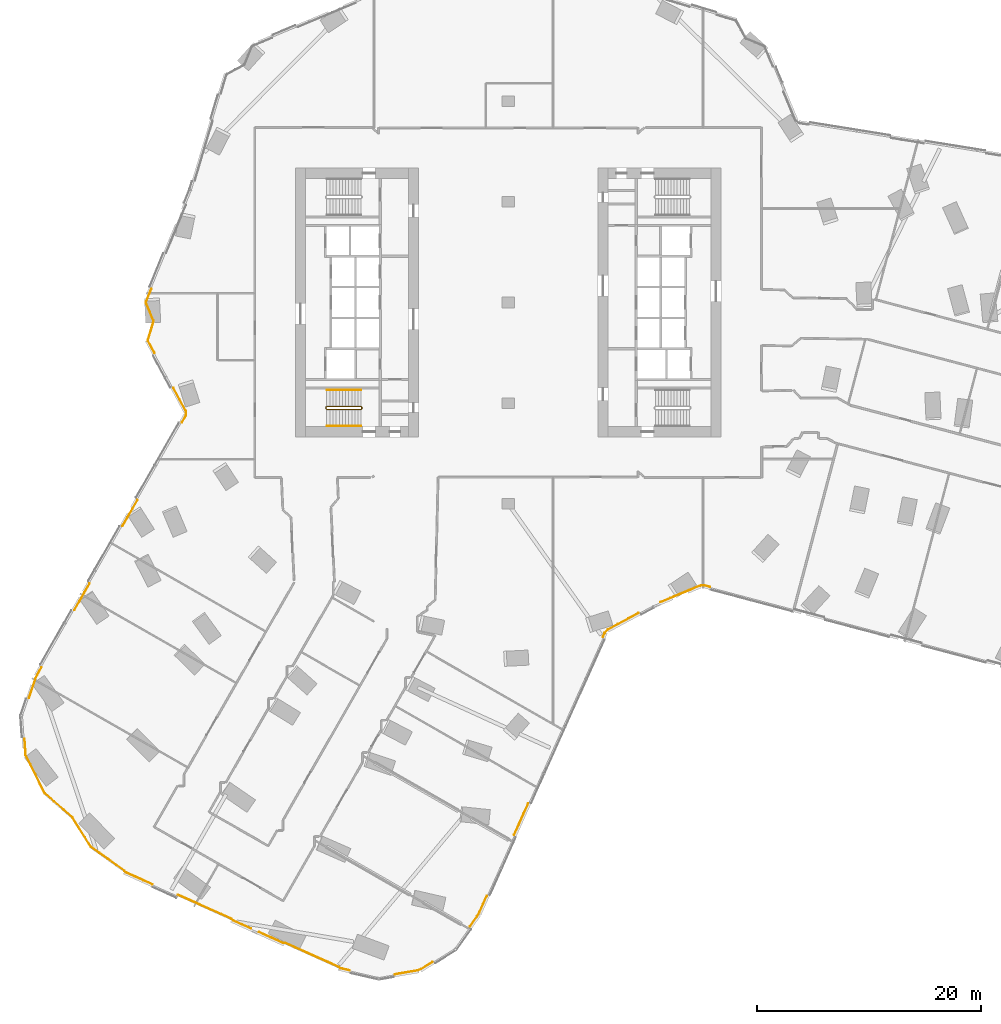
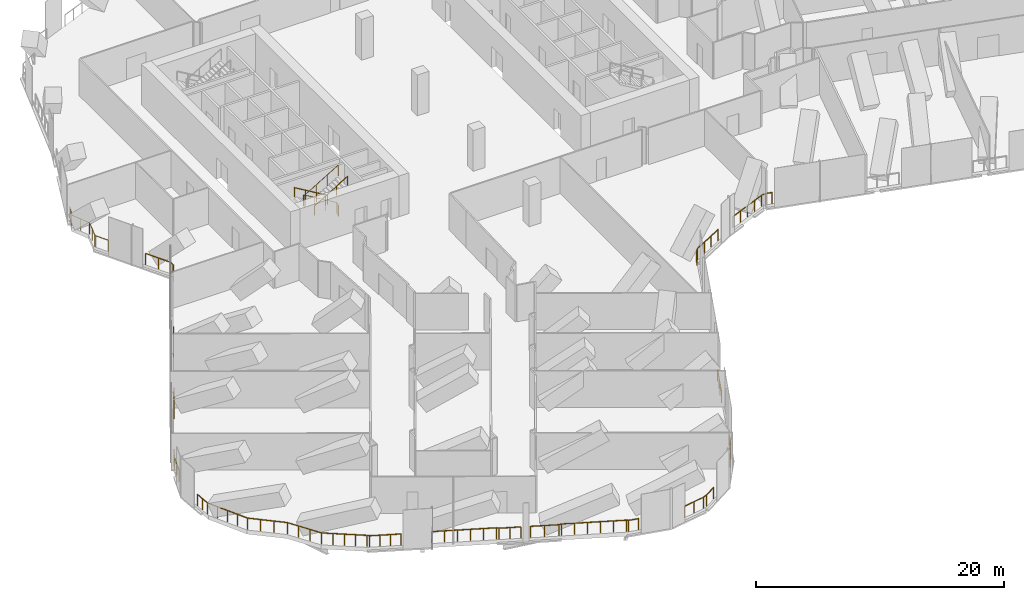
# One storey, part 34 of 37: 18 railings.
"""IFC4 building model written with IfcOpenShell, lengths in metres."""

from ifc_helpers import new_model, si_unit, direction, frame, origin, origin_2d, place, context, subcontext, project, spatial, circle, extrude, material, type_object, element, save


model = new_model("IFC4")

# Units and contexts
model_context = context("Model", 3, precision=1e-05, world=origin(), true_north=direction((0.0, 1.0)))
body_context = subcontext(model_context, "Body", "Model", "MODEL_VIEW")
ifc_project = project(units=[si_unit("LENGTHUNIT", "METRE"), si_unit("AREAUNIT", "SQUARE_METRE"), si_unit("VOLUMEUNIT", "CUBIC_METRE"), si_unit("PLANEANGLEUNIT", "RADIAN"), si_unit("MASSUNIT", "GRAM", prefix="KILO")], contexts=[model_context])

# Site, building, storey
site_placement = place(None, origin())
site = spatial("IfcSite", under=ifc_project, at=site_placement, CompositionType="ELEMENT")
building_placement = place(site_placement, origin())
building = spatial("IfcBuilding", under=site, at=building_placement, Name="Orlundy Tower", CompositionType="ELEMENT")
storey_placement = place(building_placement, frame((0.0, 0.0, 119.699951171875)))
storey = spatial("IfcBuildingStorey", under=building, at=storey_placement, Name="L30", CompositionType="ELEMENT", Elevation=119.699951171875)

# Railings
ifc_material_1 = material(Name="Steel balustrade", Category="steel")
railing_type_1 = type_object("IfcRailingType", Name="Stair Guard 1100", PredefinedType="GUARDRAIL", material=ifc_material_1)
railing_1_placement = place(storey_placement, frame((-13.090087890625, -9.35009765625, 0.0)))
element("IfcRailing", 1, at=railing_1_placement, inside=storey, type_object=railing_type_1, Name="L30 ST-W2 stair guard 1", PredefinedType="GUARDRAIL", context=body_context, shape_type="SweptSolid", body=[
    extrude(circle(Radius=0.02392578125, at=origin_2d()), frame((0.0, 0.0, 1.076171875), z_axis=(0.0, -1.0, 0.0), x_axis=(1.0, 0.0, 0.0)), (0.0, 0.0, 1.0), 0.14990234375),
    extrude(circle(Radius=0.02392578125, at=origin_2d()), frame((0.0, -0.14990234375, 1.076171875), z_axis=(-0.1878875253, 0.754313153044, 0.629054802844), x_axis=(-0.970351222016, -0.241699205484, 0.0)), (0.0, 0.0, 1.0), 0.26513671875),
    extrude(circle(Radius=0.02392578125, at=origin_2d()), frame((-0.0498046875, 0.050048828125, 1.24267578125), z_axis=(-0.859308565015, 0.0, 0.511457515432), x_axis=(0.0, -1.0, 0.0)), (0.0, 0.0, 1.0), 3.58447265625),
    extrude(circle(Radius=0.02392578125, at=origin_2d()), frame((-3.1298828125, 0.050048828125, 3.076171875), z_axis=(-0.707106781187, -0.707106781187, 0.0), x_axis=(0.707106781187, -0.707106781187, 0.0)), (0.0, 0.0, 1.0), 0.07080078125),
    extrude(circle(Radius=0.02392578125, at=origin_2d()), frame((-3.179931640625, 0.0, 3.076171875), z_axis=(0.0, -1.0, 0.0), x_axis=(1.0, 0.0, 0.0)), (0.0, 0.0, 1.0), 0.14990234375),
    extrude(circle(Radius=0.02392578125, at=origin_2d()), frame((-3.179931640625, -0.14990234375, 3.076171875), z_axis=(0.27628659633, -0.27628659633, 0.920506074601), x_axis=(0.707106781187, 0.707106781187, 0.0)), (0.0, 0.0, 1.0), 0.18115234375),
    extrude(circle(Radius=0.02392578125, at=origin_2d()), frame((-3.1298828125, -0.199951171875, 3.24267578125), z_axis=(0.859308565015, 0.0, 0.511457515432), x_axis=(0.0, 1.0, 0.0)), (0.0, 0.0, 1.0), 3.58447265625),
    extrude(circle(Radius=0.02099609375, at=origin_2d()), origin(), (0.0, 0.0, 1.0), 1.052001953125),
    extrude(circle(Radius=0.02099609375, at=origin_2d()), frame((0.0, -0.14990234375, 0.0)), (0.0, 0.0, 1.0), 1.052001953125),
    extrude(circle(Radius=0.02099609375, at=origin_2d()), frame((-0.0498046875, 0.050048828125, 0.166748046875)), (0.0, 0.0, 1.0), 1.052001953125),
    extrude(circle(Radius=0.02099609375, at=origin_2d()), frame((-1.076416015625, 0.050048828125, 0.77783203125)), (0.0, 0.0, 1.0), 1.052001953125),
    extrude(circle(Radius=0.02099609375, at=origin_2d()), frame((-2.103271484375, 0.050048828125, 1.388916015625)), (0.0, 0.0, 1.0), 1.052001953125),
    extrude(circle(Radius=0.02099609375, at=origin_2d()), frame((-3.1298828125, 0.050048828125, 2.0)), (0.0, 0.0, 1.0), 1.052001953125),
    extrude(circle(Radius=0.02099609375, at=origin_2d()), frame((-3.179931640625, 0.0, 2.0)), (0.0, 0.0, 1.0), 1.052001953125),
    extrude(circle(Radius=0.02099609375, at=origin_2d()), frame((-3.179931640625, -0.14990234375, 2.0)), (0.0, 0.0, 1.0), 1.052001953125),
    extrude(circle(Radius=0.02099609375, at=origin_2d()), frame((-3.1298828125, -0.199951171875, 2.166748046875)), (0.0, 0.0, 1.0), 1.052001953125),
    extrude(circle(Radius=0.02099609375, at=origin_2d()), frame((-2.103271484375, -0.199951171875, 2.77783203125)), (0.0, 0.0, 1.0), 1.052001953125),
    extrude(circle(Radius=0.02099609375, at=origin_2d()), frame((-1.076416015625, -0.199951171875, 3.388916015625)), (0.0, 0.0, 1.0), 1.052001953125),
    extrude(circle(Radius=0.02099609375, at=origin_2d()), frame((-0.0498046875, -0.199951171875, 4.0)), (0.0, 0.0, 1.0), 1.052001953125),
])
ifc_material_2 = material(Name="Steel handrail", Category="steel")
railing_type_2 = type_object("IfcRailingType", Name="Stair Handrail 900", PredefinedType="HANDRAIL", material=ifc_material_2)
railing_2_placement = place(storey_placement, frame((-13.139892578125, -7.800048828125, 0.166748046875)))
element("IfcRailing", 2, at=railing_2_placement, inside=storey, type_object=railing_type_2, Name="L30 ST-W2 stair handrail 1", PredefinedType="HANDRAIL", context=body_context, shape_type="SweptSolid", body=[
    extrude(circle(Radius=0.02392578125, at=origin_2d()), frame((0.0, 0.0, 0.8759765625), z_axis=(-0.859308565015, 0.0, 0.511457515432), x_axis=(0.0, -1.0, 0.0)), (0.0, 0.0, 1.0), 3.58447265625),
    extrude(circle(Radius=0.02099609375, at=origin_2d()), origin(), (0.0, 0.0, 1.0), 0.851806640625),
    extrude(circle(Radius=0.02099609375, at=origin_2d()), frame((-1.026611328125, 0.0, 0.611083984375)), (0.0, 0.0, 1.0), 0.851806640625),
    extrude(circle(Radius=0.02099609375, at=origin_2d()), frame((-2.053466796875, 0.0, 1.22216796875)), (0.0, 0.0, 1.0), 0.851806640625),
    extrude(circle(Radius=0.02099609375, at=origin_2d()), frame((-3.080078125, 0.0, 1.833251953125)), (0.0, 0.0, 1.0), 0.851806640625),
])
railing_3_placement = place(storey_placement, frame((-16.219970703125, -11.050048828125, 2.166748046875)))
element("IfcRailing", 3, at=railing_3_placement, inside=storey, type_object=railing_type_2, Name="L30 ST-W2 stair handrail 2", PredefinedType="HANDRAIL", context=body_context, shape_type="SweptSolid", body=[
    extrude(circle(Radius=0.02392578125, at=origin_2d()), frame((0.0, 0.0, 0.8759765625), z_axis=(0.859308565015, 0.0, 0.511457515432), x_axis=(0.0, 1.0, 0.0)), (0.0, 0.0, 1.0), 3.58447265625),
    extrude(circle(Radius=0.02099609375, at=origin_2d()), origin(), (0.0, 0.0, 1.0), 0.851806640625),
    extrude(circle(Radius=0.02099609375, at=origin_2d()), frame((1.026611328125, 0.0, 0.611083984375)), (0.0, 0.0, 1.0), 0.851806640625),
    extrude(circle(Radius=0.02099609375, at=origin_2d()), frame((2.053466796875, 0.0, 1.22216796875)), (0.0, 0.0, 1.0), 0.851806640625),
    extrude(circle(Radius=0.02099609375, at=origin_2d()), frame((3.080078125, 0.0, 1.833251953125)), (0.0, 0.0, 1.0), 0.851806640625),
])
ifc_material_3 = material(Name="Stainless steel bronze finish", Category="steel")
railing_type_3 = type_object("IfcRailingType", Name="TG1 terrace guard", PredefinedType="GUARDRAIL", material=ifc_material_3)
railing_4_placement = place(storey_placement, frame((-14.1669921875, -59.689208984375, 0.0)))
element("IfcRailing", 4, at=railing_4_placement, inside=storey, type_object=railing_type_3, Name="Guard TG-L30-E00", PredefinedType="GUARDRAIL", context=body_context, shape_type="SweptSolid", body=[
    extrude(circle(Radius=0.02490234375, at=origin_2d()), frame((0.0, 0.0, 1.09521484375), z_axis=(-0.974670196725, 0.223647060378, 0.0), x_axis=(-0.223647060378, -0.974670196725, 0.0)), (0.0, 0.0, 1.0), 0.83837890625),
    extrude(circle(Radius=0.02490234375, at=origin_2d()), frame((-0.817138671875, 0.1875, 1.09521484375), z_axis=(-0.802120473032, 0.597162244907, 0.0), x_axis=(-0.597162244907, -0.802120473032, 0.0)), (0.0, 0.0, 1.0), 0.19287109375),
    extrude(circle(Radius=0.02490234375, at=origin_2d()), frame((-0.971923828125, 0.302734375, 1.09521484375), z_axis=(-0.912373404843, 0.40935897466, 0.0), x_axis=(-0.40935897466, -0.912373404843, 0.0)), (0.0, 0.0, 1.0), 5.25),
    extrude(circle(Radius=0.02490234375, at=origin_2d()), frame((-5.761962890625, 2.451904296875, 1.09521484375), z_axis=(-0.999166165749, 0.04082858339, 0.0), x_axis=(-0.04082858339, -0.999166165749, 0.0)), (0.0, 0.0, 1.0), 0.21533203125),
    extrude(circle(Radius=0.02490234375, at=origin_2d()), frame((-5.97705078125, 2.460693359375, 1.09521484375), z_axis=(-0.912356188595, 0.409397343827, 0.0), x_axis=(-0.409397343827, -0.912356188595, 0.0)), (0.0, 0.0, 1.0), 2.31982421875),
    extrude(circle(Radius=0.02001953125, at=origin_2d()), origin(), (0.0, 0.0, 1.0), 1.070068359375),
    extrude(circle(Radius=0.02001953125, at=origin_2d()), frame((-0.817138671875, 0.1875, 0.0)), (0.0, 0.0, 1.0), 1.070068359375),
    extrude(circle(Radius=0.02001953125, at=origin_2d()), frame((-0.971923828125, 0.302734375, 0.0)), (0.0, 0.0, 1.0), 1.070068359375),
    extrude(circle(Radius=0.02001953125, at=origin_2d()), frame((-1.929931640625, 0.732666015625, 0.0)), (0.0, 0.0, 1.0), 1.070068359375),
    extrude(circle(Radius=0.02001953125, at=origin_2d()), frame((-2.887939453125, 1.162353515625, 0.0)), (0.0, 0.0, 1.0), 1.070068359375),
    extrude(circle(Radius=0.02001953125, at=origin_2d()), frame((-3.845947265625, 1.59228515625, 0.0)), (0.0, 0.0, 1.0), 1.070068359375),
    extrude(circle(Radius=0.02001953125, at=origin_2d()), frame((-4.803955078125, 2.02197265625, 0.0)), (0.0, 0.0, 1.0), 1.070068359375),
    extrude(circle(Radius=0.02001953125, at=origin_2d()), frame((-5.761962890625, 2.451904296875, 0.0)), (0.0, 0.0, 1.0), 1.070068359375),
    extrude(circle(Radius=0.02001953125, at=origin_2d()), frame((-5.97705078125, 2.460693359375, 0.0)), (0.0, 0.0, 1.0), 1.070068359375),
    extrude(circle(Radius=0.02001953125, at=origin_2d()), frame((-7.03515625, 2.935546875, 0.0)), (0.0, 0.0, 1.0), 1.070068359375),
    extrude(circle(Radius=0.02001953125, at=origin_2d()), frame((-8.093505859375, 3.410400390625, 0.0)), (0.0, 0.0, 1.0), 1.070068359375),
])
railing_5_placement = place(storey_placement, frame((-22.96484375, -55.962646484375, 0.0)))
element("IfcRailing", 5, at=railing_5_placement, inside=storey, type_object=railing_type_3, Name="Guard TG-L30-E04", PredefinedType="GUARDRAIL", context=body_context, shape_type="SweptSolid", body=[
    extrude(circle(Radius=0.02490234375, at=origin_2d()), frame((0.0, 0.0, 1.09521484375), z_axis=(-0.912385967399, 0.409330974265, 0.0), x_axis=(-0.409330974265, -0.912385967399, 0.0)), (0.0, 0.0, 1.0), 1.75830078125),
    extrude(circle(Radius=0.02490234375, at=origin_2d()), frame((-1.604248046875, 0.7197265625, 1.09521484375), z_axis=(-0.695119630658, 0.718894080567, 0.0), x_axis=(-0.718894080567, -0.695119630658, 0.0)), (0.0, 0.0, 1.0), 0.215576171875),
    extrude(circle(Radius=0.02490234375, at=origin_2d()), frame((-1.754150390625, 0.874755859375, 1.09521484375), z_axis=(-0.91236561175, 0.409376343352, 0.0), x_axis=(-0.409376343352, -0.91236561175, 0.0)), (0.0, 0.0, 1.0), 5.249755859375),
    extrude(circle(Radius=0.02001953125, at=origin_2d()), origin(), (0.0, 0.0, 1.0), 1.070068359375),
    extrude(circle(Radius=0.02001953125, at=origin_2d()), frame((-0.80224609375, 0.35986328125, 0.0)), (0.0, 0.0, 1.0), 1.070068359375),
    extrude(circle(Radius=0.02001953125, at=origin_2d()), frame((-1.604248046875, 0.7197265625, 0.0)), (0.0, 0.0, 1.0), 1.070068359375),
    extrude(circle(Radius=0.02001953125, at=origin_2d()), frame((-1.754150390625, 0.874755859375, 0.0)), (0.0, 0.0, 1.0), 1.070068359375),
    extrude(circle(Radius=0.02001953125, at=origin_2d()), frame((-2.712158203125, 1.3046875, 0.0)), (0.0, 0.0, 1.0), 1.070068359375),
    extrude(circle(Radius=0.02001953125, at=origin_2d()), frame((-3.670166015625, 1.734375, 0.0)), (0.0, 0.0, 1.0), 1.070068359375),
    extrude(circle(Radius=0.02001953125, at=origin_2d()), frame((-4.6279296875, 2.164306640625, 0.0)), (0.0, 0.0, 1.0), 1.070068359375),
    extrude(circle(Radius=0.02001953125, at=origin_2d()), frame((-5.5859375, 2.593994140625, 0.0)), (0.0, 0.0, 1.0), 1.070068359375),
    extrude(circle(Radius=0.02001953125, at=origin_2d()), frame((-6.5439453125, 3.02392578125, 0.0)), (0.0, 0.0, 1.0), 1.070068359375),
])
railing_6_placement = place(storey_placement, frame((-31.810791015625, -51.99365234375, 0.0)))
element("IfcRailing", 6, at=railing_6_placement, inside=storey, type_object=railing_type_3, Name="Guard TG-L30-E05", PredefinedType="GUARDRAIL", context=body_context, shape_type="SweptSolid", body=[
    extrude(circle(Radius=0.02490234375, at=origin_2d()), frame((0.0, 0.0, 1.09521484375), z_axis=(-0.912352322401, 0.409405959666, 0.0), x_axis=(-0.409405959666, -0.912352322401, 0.0)), (0.0, 0.0, 1.0), 2.56298828125),
    extrude(circle(Radius=0.02490234375, at=origin_2d()), frame((-2.33837890625, 1.04931640625, 1.09521484375), z_axis=(-0.67078075412, 0.741655701725, 0.0), x_axis=(-0.741655701725, -0.67078075412, 0.0)), (0.0, 0.0, 1.0), 0.19287109375),
    extrude(circle(Radius=0.02490234375, at=origin_2d()), frame((-2.4677734375, 1.1923828125, 1.09521484375), z_axis=(-0.814967847492, 0.579506175596, 0.0), x_axis=(-0.579506175596, -0.814967847492, 0.0)), (0.0, 0.0, 1.0), 3.682861328125),
    extrude(circle(Radius=0.02001953125, at=origin_2d()), origin(), (0.0, 0.0, 1.0), 1.070068359375),
    extrude(circle(Radius=0.02001953125, at=origin_2d()), frame((-0.779541015625, 0.349853515625, 0.0)), (0.0, 0.0, 1.0), 1.070068359375),
    extrude(circle(Radius=0.02001953125, at=origin_2d()), frame((-1.558837890625, 0.699462890625, 0.0)), (0.0, 0.0, 1.0), 1.070068359375),
    extrude(circle(Radius=0.02001953125, at=origin_2d()), frame((-2.33837890625, 1.04931640625, 0.0)), (0.0, 0.0, 1.0), 1.070068359375),
    extrude(circle(Radius=0.02001953125, at=origin_2d()), frame((-2.4677734375, 1.1923828125, 0.0)), (0.0, 0.0, 1.0), 1.070068359375),
    extrude(circle(Radius=0.02001953125, at=origin_2d()), frame((-3.21826171875, 1.72607421875, 0.0)), (0.0, 0.0, 1.0), 1.070068359375),
    extrude(circle(Radius=0.02001953125, at=origin_2d()), frame((-3.968505859375, 2.259521484375, 0.0)), (0.0, 0.0, 1.0), 1.070068359375),
    extrude(circle(Radius=0.02001953125, at=origin_2d()), frame((-4.71875, 2.79296875, 0.0)), (0.0, 0.0, 1.0), 1.070068359375),
    extrude(circle(Radius=0.02001953125, at=origin_2d()), frame((-5.46923828125, 3.32666015625, 0.0)), (0.0, 0.0, 1.0), 1.070068359375),
])
railing_7_placement = place(storey_placement, frame((-37.280029296875, -48.6669921875, 0.0)))
element("IfcRailing", 7, at=railing_7_placement, inside=storey, type_object=railing_type_3, Name="Guard TG-L30-E06", PredefinedType="GUARDRAIL", context=body_context, shape_type="SweptSolid", body=[
    extrude(circle(Radius=0.02490234375, at=origin_2d()), frame((0.0, 0.0, 1.09521484375), z_axis=(-0.532624098328, 0.846351918459, 0.0), x_axis=(-0.846351918459, -0.532624098328, 0.0)), (0.0, 0.0, 1.0), 3.114990234375),
    extrude(circle(Radius=0.02490234375, at=origin_2d()), frame((-1.6591796875, 2.636474609375, 1.09521484375), z_axis=(-0.75369880571, 0.657219986208, 0.0), x_axis=(-0.657219986208, -0.75369880571, 0.0)), (0.0, 0.0, 1.0), 3.27197265625),
    extrude(circle(Radius=0.02001953125, at=origin_2d()), origin(), (0.0, 0.0, 1.0), 1.070068359375),
    extrude(circle(Radius=0.02001953125, at=origin_2d()), frame((-0.552978515625, 0.87890625, 0.0)), (0.0, 0.0, 1.0), 1.070068359375),
    extrude(circle(Radius=0.02001953125, at=origin_2d()), frame((-1.106201171875, 1.757568359375, 0.0)), (0.0, 0.0, 1.0), 1.070068359375),
    extrude(circle(Radius=0.02001953125, at=origin_2d()), frame((-1.6591796875, 2.636474609375, 0.0)), (0.0, 0.0, 1.0), 1.070068359375),
    extrude(circle(Radius=0.02001953125, at=origin_2d()), frame((-2.481201171875, 3.353271484375, 0.0)), (0.0, 0.0, 1.0), 1.070068359375),
    extrude(circle(Radius=0.02001953125, at=origin_2d()), frame((-3.30322265625, 4.070068359375, 0.0)), (0.0, 0.0, 1.0), 1.070068359375),
    extrude(circle(Radius=0.02001953125, at=origin_2d()), frame((-4.125244140625, 4.786865234375, 0.0)), (0.0, 0.0, 1.0), 1.070068359375),
])
railing_8_placement = place(storey_placement, frame((-31.60546875, -4.510986328125, 0.0)))
element("IfcRailing", 8, at=railing_8_placement, inside=storey, type_object=railing_type_3, Name="Guard TG-L30-E08", PredefinedType="GUARDRAIL", context=body_context, shape_type="SweptSolid", body=[
    extrude(circle(Radius=0.02490234375, at=origin_2d()), frame((0.0, 0.0, 1.09521484375), z_axis=(-0.474646857063, 0.880176323858, 0.0), x_axis=(-0.880176323858, -0.474646857063, 0.0)), (0.0, 0.0, 1.0), 1.197509765625),
    extrude(circle(Radius=0.02490234375, at=origin_2d()), frame((-0.568359375, 1.053955078125, 1.09521484375), z_axis=(-0.122574654085, 0.992459295979, 0.0), x_axis=(-0.992459295979, -0.122574654085, 0.0)), (0.0, 0.0, 1.0), 0.12353515625),
    extrude(circle(Radius=0.02490234375, at=origin_2d()), frame((-0.58349609375, 1.176513671875, 1.09521484375), z_axis=(0.286861702407, 0.957972005693, 0.0), x_axis=(-0.957972005693, 0.286861702407, 0.0)), (0.0, 0.0, 1.0), 1.70458984375),
    extrude(circle(Radius=0.02490234375, at=origin_2d()), frame((-0.094482421875, 2.8095703125, 1.09521484375), z_axis=(-0.05446449316, 0.998515707931, 0.0), x_axis=(-0.998515707931, -0.05446449316, 0.0)), (0.0, 0.0, 1.0), 0.08056640625),
    extrude(circle(Radius=0.02490234375, at=origin_2d()), frame((-0.098876953125, 2.89013671875, 1.09521484375), z_axis=(-0.385398281535, 0.922750326247, 0.0), x_axis=(-0.922750326247, -0.385398281535, 0.0)), (0.0, 0.0, 1.0), 1.70458984375),
    extrude(circle(Radius=0.02490234375, at=origin_2d()), frame((-0.755859375, 4.463134765625, 1.09521484375), z_axis=(0.019758987592, 0.999804772148, 0.0), x_axis=(-0.999804772148, 0.019758987592, 0.0)), (0.0, 0.0, 1.0), 0.12353515625),
    extrude(circle(Radius=0.02490234375, at=origin_2d()), frame((-0.75341796875, 4.586669921875, 1.09521484375), z_axis=(0.379940366606, 0.925010982542, 0.0), x_axis=(-0.925010982542, 0.379940366606, 0.0)), (0.0, 0.0, 1.0), 1.2138671875),
    extrude(circle(Radius=0.02001953125, at=origin_2d()), origin(), (0.0, 0.0, 1.0), 1.070068359375),
    extrude(circle(Radius=0.02001953125, at=origin_2d()), frame((-0.568359375, 1.053955078125, 0.0)), (0.0, 0.0, 1.0), 1.070068359375),
    extrude(circle(Radius=0.02001953125, at=origin_2d()), frame((-0.58349609375, 1.176513671875, 0.0)), (0.0, 0.0, 1.0), 1.070068359375),
    extrude(circle(Radius=0.02001953125, at=origin_2d()), frame((-0.3388671875, 1.9931640625, 0.0)), (0.0, 0.0, 1.0), 1.070068359375),
    extrude(circle(Radius=0.02001953125, at=origin_2d()), frame((-0.094482421875, 2.8095703125, 0.0)), (0.0, 0.0, 1.0), 1.070068359375),
    extrude(circle(Radius=0.02001953125, at=origin_2d()), frame((-0.098876953125, 2.89013671875, 0.0)), (0.0, 0.0, 1.0), 1.070068359375),
    extrude(circle(Radius=0.02001953125, at=origin_2d()), frame((-0.42724609375, 3.6767578125, 0.0)), (0.0, 0.0, 1.0), 1.070068359375),
    extrude(circle(Radius=0.02001953125, at=origin_2d()), frame((-0.755859375, 4.463134765625, 0.0)), (0.0, 0.0, 1.0), 1.070068359375),
    extrude(circle(Radius=0.02001953125, at=origin_2d()), frame((-0.75341796875, 4.586669921875, 0.0)), (0.0, 0.0, 1.0), 1.070068359375),
    extrude(circle(Radius=0.02001953125, at=origin_2d()), frame((-0.52294921875, 5.14794921875, 0.0)), (0.0, 0.0, 1.0), 1.070068359375),
    extrude(circle(Radius=0.02001953125, at=origin_2d()), frame((-0.292236328125, 5.70947265625, 0.0)), (0.0, 0.0, 1.0), 1.070068359375),
])
railing_9_placement = place(storey_placement, frame((-41.4052734375, -43.880126953125, 0.0)))
element("IfcRailing", 9, at=railing_9_placement, inside=storey, type_object=railing_type_3, Name="Guard TG-L30-E014", PredefinedType="GUARDRAIL", context=body_context, shape_type="SweptSolid", body=[
    extrude(circle(Radius=0.02490234375, at=origin_2d()), frame((0.0, 0.0, 1.09521484375), z_axis=(-0.446630415495, 0.894718543429, 0.0), x_axis=(-0.894718543429, -0.446630415495, 0.0)), (0.0, 0.0, 1.0), 3.85205078125),
    extrude(circle(Radius=0.02490234375, at=origin_2d()), frame((-1.720458984375, 3.446533203125, 1.09521484375), z_axis=(-0.068274870728, 0.997666548516, 0.0), x_axis=(-0.997666548516, -0.068274870728, 0.0)), (0.0, 0.0, 1.0), 1.430419921875),
    extrude(circle(Radius=0.02001953125, at=origin_2d()), origin(), (0.0, 0.0, 1.0), 1.070068359375),
    extrude(circle(Radius=0.02001953125, at=origin_2d()), frame((-0.43017578125, 0.861572265625, 0.0)), (0.0, 0.0, 1.0), 1.070068359375),
    extrude(circle(Radius=0.02001953125, at=origin_2d()), frame((-0.8603515625, 1.72314453125, 0.0)), (0.0, 0.0, 1.0), 1.070068359375),
    extrude(circle(Radius=0.02001953125, at=origin_2d()), frame((-1.290283203125, 2.5849609375, 0.0)), (0.0, 0.0, 1.0), 1.070068359375),
    extrude(circle(Radius=0.02001953125, at=origin_2d()), frame((-1.720458984375, 3.446533203125, 0.0)), (0.0, 0.0, 1.0), 1.070068359375),
    extrude(circle(Radius=0.02001953125, at=origin_2d()), frame((-1.769287109375, 4.16015625, 0.0)), (0.0, 0.0, 1.0), 1.070068359375),
    extrude(circle(Radius=0.02001953125, at=origin_2d()), frame((-1.818115234375, 4.87353515625, 0.0)), (0.0, 0.0, 1.0), 1.070068359375),
])
railing_10_placement = place(storey_placement, frame((18.022216796875, -25.4208984375, 0.0)))
element("IfcRailing", 10, at=railing_10_placement, inside=storey, type_object=railing_type_3, Name="Guard TG-L30-E017", PredefinedType="GUARDRAIL", context=body_context, shape_type="SweptSolid", body=[
    extrude(circle(Radius=0.02490234375, at=origin_2d()), frame((0.0, 0.0, 1.09521484375), z_axis=(-0.966753623974, 0.255709660618, 0.0), x_axis=(-0.255709660618, -0.966753623974, 0.0)), (0.0, 0.0, 1.0), 0.513671875),
    extrude(circle(Radius=0.02490234375, at=origin_2d()), frame((-0.49658203125, 0.13134765625, 1.09521484375), z_axis=(-0.99767157482, -0.068201384123, 0.0), x_axis=(0.068201384123, -0.99767157482, 0.0)), (0.0, 0.0, 1.0), 0.404541015625),
    extrude(circle(Radius=0.02490234375, at=origin_2d()), frame((-0.900146484375, 0.103759765625, 1.09521484375), z_axis=(-0.92277537119, -0.38533831152, 0.0), x_axis=(0.38533831152, -0.92277537119, 0.0)), (0.0, 0.0, 1.0), 3.7880859375),
    extrude(circle(Radius=0.02001953125, at=origin_2d()), origin(), (0.0, 0.0, 1.0), 1.070068359375),
    extrude(circle(Radius=0.02001953125, at=origin_2d()), frame((-0.49658203125, 0.13134765625, 0.0)), (0.0, 0.0, 1.0), 1.070068359375),
    extrude(circle(Radius=0.02001953125, at=origin_2d()), frame((-0.900146484375, 0.103759765625, 0.0)), (0.0, 0.0, 1.0), 1.070068359375),
    extrude(circle(Radius=0.02001953125, at=origin_2d()), frame((-1.77392578125, -0.26123046875, 0.0)), (0.0, 0.0, 1.0), 1.070068359375),
    extrude(circle(Radius=0.02001953125, at=origin_2d()), frame((-2.64794921875, -0.6259765625, 0.0)), (0.0, 0.0, 1.0), 1.070068359375),
    extrude(circle(Radius=0.02001953125, at=origin_2d()), frame((-3.52197265625, -0.990966796875, 0.0)), (0.0, 0.0, 1.0), 1.070068359375),
    extrude(circle(Radius=0.02001953125, at=origin_2d()), frame((-4.395751953125, -1.35595703125, 0.0)), (0.0, 0.0, 1.0), 1.070068359375),
])
railing_11_placement = place(storey_placement, frame((11.643310546875, -27.759521484375, 0.0)))
element("IfcRailing", 11, at=railing_11_placement, inside=storey, type_object=railing_type_3, Name="Guard TG-L30-E023", PredefinedType="GUARDRAIL", context=body_context, shape_type="SweptSolid", body=[
    extrude(circle(Radius=0.02490234375, at=origin_2d()), frame((0.0, 0.0, 1.09521484375), z_axis=(-0.880166590874, -0.474664905286, 0.0), x_axis=(0.474664905286, -0.880166590874, 0.0)), (0.0, 0.0, 1.0), 3.116943359375),
    extrude(circle(Radius=0.02490234375, at=origin_2d()), frame((-2.743408203125, -1.4794921875, 1.09521484375), z_axis=(-0.680983506578, -0.732298753084, 0.0), x_axis=(0.732298753084, -0.680983506578, 0.0)), (0.0, 0.0, 1.0), 0.404296875),
    extrude(circle(Radius=0.02490234375, at=origin_2d()), frame((-3.018798828125, -1.775634765625, 1.09521484375), z_axis=(-0.408985373475, -0.912540938415, 0.0), x_axis=(0.912540938415, -0.408985373475, 0.0)), (0.0, 0.0, 1.0), 0.3974609375),
    extrude(circle(Radius=0.02001953125, at=origin_2d()), origin(), (0.0, 0.0, 1.0), 1.070068359375),
    extrude(circle(Radius=0.02001953125, at=origin_2d()), frame((-0.91455078125, -0.4931640625, 0.0)), (0.0, 0.0, 1.0), 1.070068359375),
    extrude(circle(Radius=0.02001953125, at=origin_2d()), frame((-1.828857421875, -0.986328125, 0.0)), (0.0, 0.0, 1.0), 1.070068359375),
    extrude(circle(Radius=0.02001953125, at=origin_2d()), frame((-2.743408203125, -1.4794921875, 0.0)), (0.0, 0.0, 1.0), 1.070068359375),
    extrude(circle(Radius=0.02001953125, at=origin_2d()), frame((-3.018798828125, -1.775634765625, 0.0)), (0.0, 0.0, 1.0), 1.070068359375),
    extrude(circle(Radius=0.02001953125, at=origin_2d()), frame((-3.181396484375, -2.138427734375, 0.0)), (0.0, 0.0, 1.0), 1.070068359375),
])
railing_12_placement = place(storey_placement, frame((-6.78125, -58.9462890625, 0.0)))
element("IfcRailing", 12, at=railing_12_placement, inside=storey, type_object=railing_type_3, Name="Guard TG-L30-E024", PredefinedType="GUARDRAIL", context=body_context, shape_type="SweptSolid", body=[
    extrude(circle(Radius=0.02490234375, at=origin_2d()), frame((0.0, 0.0, 1.09521484375), z_axis=(-0.847259060403, -0.531179898495, 0.0), x_axis=(0.531179898495, -0.847259060403, 0.0)), (0.0, 0.0, 1.0), 1.170166015625),
    extrude(circle(Radius=0.02490234375, at=origin_2d()), frame((-0.991455078125, -0.62158203125, 1.09521484375), z_axis=(-0.934641558226, -0.355591278909, 0.0), x_axis=(0.355591278909, -0.934641558226, 0.0)), (0.0, 0.0, 1.0), 0.376953125),
    extrude(circle(Radius=0.02490234375, at=origin_2d()), frame((-1.34375, -0.755615234375, 1.09521484375), z_axis=(-0.986058274362, -0.16640035926, 0.0), x_axis=(0.16640035926, -0.986058274362, 0.0)), (0.0, 0.0, 1.0), 2.017333984375),
    extrude(circle(Radius=0.02001953125, at=origin_2d()), origin(), (0.0, 0.0, 1.0), 1.070068359375),
    extrude(circle(Radius=0.02001953125, at=origin_2d()), frame((-0.991455078125, -0.62158203125, 0.0)), (0.0, 0.0, 1.0), 1.070068359375),
    extrude(circle(Radius=0.02001953125, at=origin_2d()), frame((-1.34375, -0.755615234375, 0.0)), (0.0, 0.0, 1.0), 1.070068359375),
    extrude(circle(Radius=0.02001953125, at=origin_2d()), frame((-2.33837890625, -0.92333984375, 0.0)), (0.0, 0.0, 1.0), 1.070068359375),
    extrude(circle(Radius=0.02001953125, at=origin_2d()), frame((-3.3330078125, -1.09130859375, 0.0)), (0.0, 0.0, 1.0), 1.070068359375),
])
railing_13_placement = place(storey_placement, frame((-29.170654296875, -10.743896484375, 0.0)))
element("IfcRailing", 13, at=railing_13_placement, inside=storey, type_object=railing_type_3, Name="Guard TG-L30-E025", PredefinedType="GUARDRAIL", context=body_context, shape_type="SweptSolid", body=[
    extrude(circle(Radius=0.02490234375, at=origin_2d()), frame((0.0, 0.0, 1.09521484375), z_axis=(0.497742973701, 0.867324582916, 0.0), x_axis=(-0.867324582916, 0.497742973701, 0.0)), (0.0, 0.0, 1.0), 0.7373046875),
    extrude(circle(Radius=0.02490234375, at=origin_2d()), frame((0.366943359375, 0.639404296875, 1.09521484375), z_axis=(0.013198096121, 0.999912901336, 0.0), x_axis=(-0.999912901336, 0.013198096121, 0.0)), (0.0, 0.0, 1.0), 0.388427734375),
    extrude(circle(Radius=0.02490234375, at=origin_2d()), frame((0.3720703125, 1.02783203125, 1.09521484375), z_axis=(-0.47463851073, 0.880180824679, 0.0), x_axis=(-0.880180824679, -0.47463851073, 0.0)), (0.0, 0.0, 1.0), 2.3779296875),
    extrude(circle(Radius=0.02001953125, at=origin_2d()), origin(), (0.0, 0.0, 1.0), 1.070068359375),
    extrude(circle(Radius=0.02001953125, at=origin_2d()), frame((0.366943359375, 0.639404296875, 0.0)), (0.0, 0.0, 1.0), 1.070068359375),
    extrude(circle(Radius=0.02001953125, at=origin_2d()), frame((0.3720703125, 1.02783203125, 0.0)), (0.0, 0.0, 1.0), 1.070068359375),
    extrude(circle(Radius=0.02001953125, at=origin_2d()), frame((-0.1923828125, 2.07421875, 0.0)), (0.0, 0.0, 1.0), 1.070068359375),
    extrude(circle(Radius=0.02001953125, at=origin_2d()), frame((-0.756591796875, 3.120849609375, 0.0)), (0.0, 0.0, 1.0), 1.070068359375),
])
railing_14_placement = place(storey_placement, frame((-1.919677734375, -53.032958984375, 0.0)))
element("IfcRailing", 14, at=railing_14_placement, inside=storey, type_object=railing_type_3, Name="Guard TG-L30-E027", PredefinedType="GUARDRAIL", context=body_context, shape_type="SweptSolid", body=[
    extrude(circle(Radius=0.02490234375, at=origin_2d()), frame((0.0, 0.0, 1.09521484375), z_axis=(-0.409417316339, -0.91234722616, 0.0), x_axis=(0.91234722616, -0.409417316339, 0.0)), (0.0, 0.0, 1.0), 1.629150390625),
    extrude(circle(Radius=0.02490234375, at=origin_2d()), frame((-0.6669921875, -1.486328125, 1.09521484375), z_axis=(-0.49681262897, -0.867857829196, 0.0), x_axis=(0.867857829196, -0.49681262897, 0.0)), (0.0, 0.0, 1.0), 0.39013671875),
    extrude(circle(Radius=0.02490234375, at=origin_2d()), frame((-0.86083984375, -1.824951171875, 1.09521484375), z_axis=(-0.579569880005, -0.814922544903, 0.0), x_axis=(0.814922544903, -0.579569880005, 0.0)), (0.0, 0.0, 1.0), 1.094482421875),
    extrude(circle(Radius=0.02001953125, at=origin_2d()), origin(), (0.0, 0.0, 1.0), 1.070068359375),
    extrude(circle(Radius=0.02001953125, at=origin_2d()), frame((-0.33349609375, -0.7431640625, 0.0)), (0.0, 0.0, 1.0), 1.070068359375),
    extrude(circle(Radius=0.02001953125, at=origin_2d()), frame((-0.6669921875, -1.486328125, 0.0)), (0.0, 0.0, 1.0), 1.070068359375),
    extrude(circle(Radius=0.02001953125, at=origin_2d()), frame((-0.86083984375, -1.824951171875, 0.0)), (0.0, 0.0, 1.0), 1.070068359375),
    extrude(circle(Radius=0.02001953125, at=origin_2d()), frame((-1.4951171875, -2.716796875, 0.0)), (0.0, 0.0, 1.0), 1.070068359375),
])
railing_15_placement = place(storey_placement, frame((1.779541015625, -44.789306640625, 0.0)))
element("IfcRailing", 15, at=railing_15_placement, inside=storey, type_object=railing_type_3, Name="Guard TG-L30-E028", PredefinedType="GUARDRAIL", context=body_context, shape_type="SweptSolid", body=[
    extrude(circle(Radius=0.02490234375, at=origin_2d()), frame((0.0, 0.0, 1.09521484375), z_axis=(-0.409453186622, -0.912331128464, 0.0), x_axis=(0.912331128464, -0.409453186622, 0.0)), (0.0, 0.0, 1.0), 3.05224609375),
    extrude(circle(Radius=0.02001953125, at=origin_2d()), origin(), (0.0, 0.0, 1.0), 1.070068359375),
    extrude(circle(Radius=0.02001953125, at=origin_2d()), frame((-0.41650390625, -0.92822265625, 0.0)), (0.0, 0.0, 1.0), 1.070068359375),
    extrude(circle(Radius=0.02001953125, at=origin_2d()), frame((-0.833251953125, -1.8564453125, 0.0)), (0.0, 0.0, 1.0), 1.070068359375),
    extrude(circle(Radius=0.02001953125, at=origin_2d()), frame((-1.249755859375, -2.78466796875, 0.0)), (0.0, 0.0, 1.0), 1.070068359375),
])
railing_16_placement = place(storey_placement, frame((-42.82470703125, -35.33837890625, 0.0)))
element("IfcRailing", 16, at=railing_16_placement, inside=storey, type_object=railing_type_3, Name="Guard TG-L30-E030", PredefinedType="GUARDRAIL", context=body_context, shape_type="SweptSolid", body=[
    extrude(circle(Radius=0.02490234375, at=origin_2d()), frame((0.0, 0.0, 1.09521484375), z_axis=(0.318821484499, 0.947814782023, 0.0), x_axis=(-0.947814782023, 0.318821484499, 0.0)), (0.0, 0.0, 1.0), 1.806396484375),
    extrude(circle(Radius=0.02490234375, at=origin_2d()), frame((0.575927734375, 1.712158203125, 1.09521484375), z_axis=(0.410026273775, 0.912073711283, 0.0), x_axis=(-0.912073711283, 0.410026273775, 0.0)), (0.0, 0.0, 1.0), 0.389892578125),
    extrude(circle(Radius=0.02490234375, at=origin_2d()), frame((0.73583984375, 2.06787109375, 1.09521484375), z_axis=(0.497599407642, 0.867406957266, 0.0), x_axis=(-0.867406957266, 0.497599407642, 0.0)), (0.0, 0.0, 1.0), 0.773681640625),
    extrude(circle(Radius=0.02001953125, at=origin_2d()), origin(), (0.0, 0.0, 1.0), 1.070068359375),
    extrude(circle(Radius=0.02001953125, at=origin_2d()), frame((0.2880859375, 0.85595703125, 0.0)), (0.0, 0.0, 1.0), 1.070068359375),
    extrude(circle(Radius=0.02001953125, at=origin_2d()), frame((0.575927734375, 1.712158203125, 0.0)), (0.0, 0.0, 1.0), 1.070068359375),
    extrude(circle(Radius=0.02001953125, at=origin_2d()), frame((0.73583984375, 2.06787109375, 0.0)), (0.0, 0.0, 1.0), 1.070068359375),
    extrude(circle(Radius=0.02001953125, at=origin_2d()), frame((1.120849609375, 2.739013671875, 0.0)), (0.0, 0.0, 1.0), 1.070068359375),
])
railing_17_placement = place(storey_placement, frame((-38.781494140625, -27.50341796875, 0.0)))
element("IfcRailing", 17, at=railing_17_placement, inside=storey, type_object=railing_type_3, Name="Guard TG-L30-E035", PredefinedType="GUARDRAIL", context=body_context, shape_type="SweptSolid", body=[
    extrude(circle(Radius=0.02490234375, at=origin_2d()), frame((0.0, 0.0, 1.09521484375), z_axis=(0.497434198015, 0.867501711033, 0.0), x_axis=(-0.867501711033, 0.497434198015, 0.0)), (0.0, 0.0, 1.0), 2.7392578125),
    extrude(circle(Radius=0.02001953125, at=origin_2d()), origin(), (0.0, 0.0, 1.0), 1.070068359375),
    extrude(circle(Radius=0.02001953125, at=origin_2d()), frame((0.4541015625, 0.7919921875, 0.0)), (0.0, 0.0, 1.0), 1.070068359375),
    extrude(circle(Radius=0.02001953125, at=origin_2d()), frame((0.908447265625, 1.584228515625, 0.0)), (0.0, 0.0, 1.0), 1.070068359375),
    extrude(circle(Radius=0.02001953125, at=origin_2d()), frame((1.362548828125, 2.376220703125, 0.0)), (0.0, 0.0, 1.0), 1.070068359375),
])
railing_18_placement = place(storey_placement, frame((-34.466796875, -19.979248046875, 0.0)))
element("IfcRailing", 18, at=railing_18_placement, inside=storey, type_object=railing_type_3, Name="Guard TG-L30-E036", PredefinedType="GUARDRAIL", context=body_context, shape_type="SweptSolid", body=[
    extrude(circle(Radius=0.02490234375, at=origin_2d()), frame((0.0, 0.0, 1.09521484375), z_axis=(0.49753037868, 0.867446552988, 0.0), x_axis=(-0.867446552988, 0.49753037868, 0.0)), (0.0, 0.0, 1.0), 2.6630859375),
    extrude(circle(Radius=0.02001953125, at=origin_2d()), origin(), (0.0, 0.0, 1.0), 1.070068359375),
    extrude(circle(Radius=0.02001953125, at=origin_2d()), frame((0.441650390625, 0.77001953125, 0.0)), (0.0, 0.0, 1.0), 1.070068359375),
    extrude(circle(Radius=0.02001953125, at=origin_2d()), frame((0.88330078125, 1.5400390625, 0.0)), (0.0, 0.0, 1.0), 1.070068359375),
    extrude(circle(Radius=0.02001953125, at=origin_2d()), frame((1.324951171875, 2.31005859375, 0.0)), (0.0, 0.0, 1.0), 1.070068359375),
])

save(model, "model.ifc")
